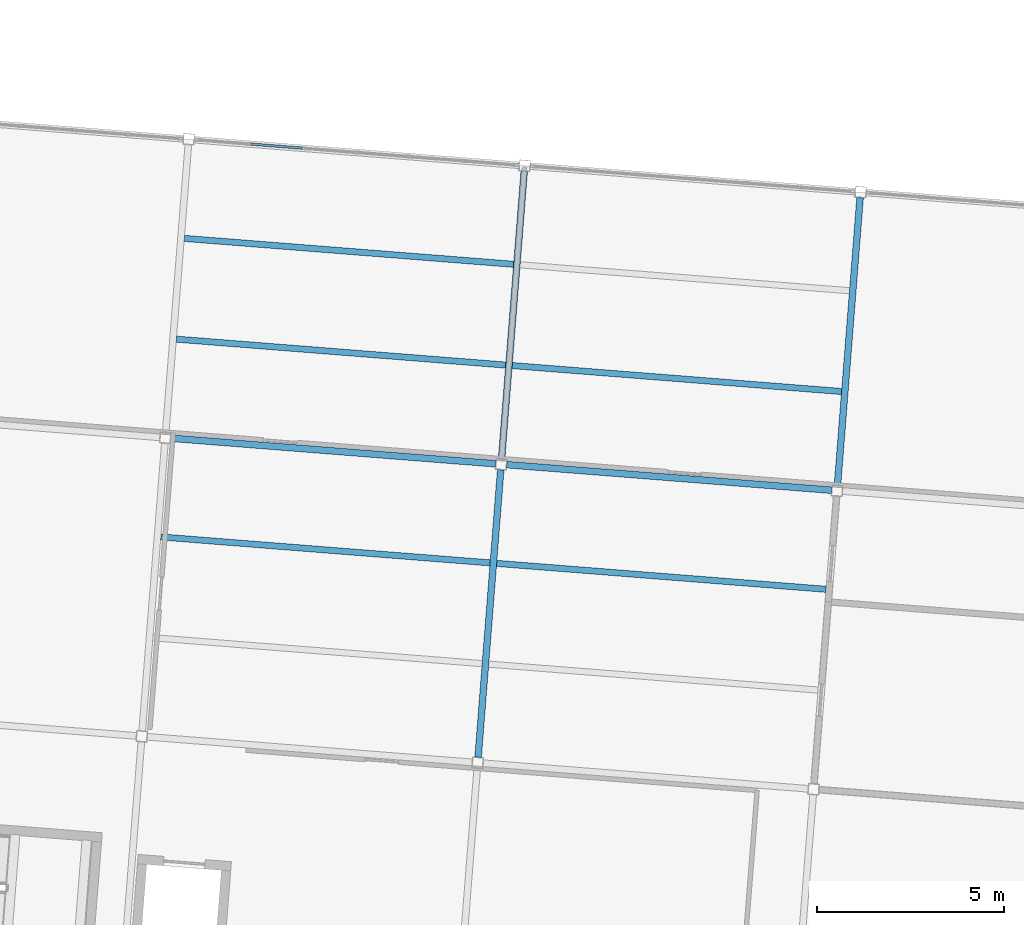
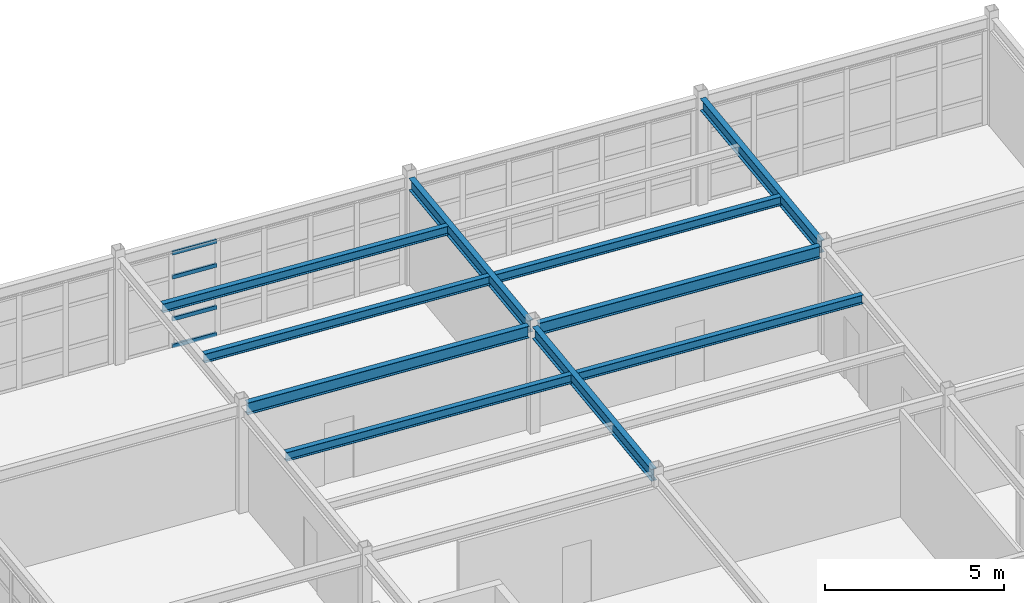
# One storey, part 51 of 150: 10 beams, 4 members, 1 element without a shape of its own.
"""IFC4 building model written with IfcOpenShell, lengths in metres."""

import ifcopenshell
import ifcopenshell.guid

model = None  # the IFC model being written
_history = None  # IfcOwnerHistory: only IFC2X3 demands one
_inside = {}  # id of a spatial element -> (the spatial element, [elements in it])
_under = {}  # id of a project, library or spatial element -> (it, [spatial elements below it])
_declared = {}  # id of a project -> (the project, [libraries it declares])
_typed = {}  # id of a type object -> (the type object, [elements of that type])
_made_of = {}  # id of a material, layer set ... -> (it, [elements and type objects made of it])


def new_model(schema):
    """Start an empty IFC model of exactly this schema.

    Asked for "IFC4X3", IfcOpenShell would pick the latest addendum, in which some entities
    have other attributes; the version numbers below select the first issue.
    IFC2X3 requires an IfcOwnerHistory on every rooted entity: one is made here for all.
    """
    global model, _history
    if schema == "IFC4X3":
        model = ifcopenshell.file(schema_version=(4, 3, 0, 0))
    else:
        model = ifcopenshell.file(schema=schema)
    _inside.clear()
    _under.clear()
    _declared.clear()
    _typed.clear()
    _made_of.clear()
    _history = None
    if model.schema == "IFC2X3":
        org = make("IfcOrganization", Name="unknown")
        user = make(
            "IfcPersonAndOrganization",
            ThePerson=make("IfcPerson", FamilyName="unknown"),
            TheOrganization=org,
        )
        app = make(
            "IfcApplication",
            ApplicationDeveloper=org,
            Version="unknown",
            ApplicationFullName="unknown",
            ApplicationIdentifier="unknown",
        )
        _history = make(
            "IfcOwnerHistory",
            OwningUser=user,
            OwningApplication=app,
            ChangeAction="ADDED",
            CreationDate=0,
        )
    return model


def make(cls, **values):
    """One entity of the class cls with the attributes given. An attribute that is None is left unset."""
    return model.create_entity(
        cls, **{name: value for name, value in values.items() if value is not None}
    )


def rooted(cls, **values):
    """An entity with a GlobalId (a new one), such as an element, a storey or a relation."""
    return make(cls, GlobalId=ifcopenshell.guid.new(), OwnerHistory=_history, **values)


def si_unit(unit_type, name, prefix=None):
    """IfcSIUnit, for example si_unit("LENGTHUNIT", "METRE", prefix="MILLI")."""
    return make("IfcSIUnit", UnitType=unit_type, Prefix=prefix, Name=name)


def assignment(units):
    """IfcUnitAssignment: the units of a project."""
    return None if units is None else make("IfcUnitAssignment", Units=units)


def point(xyz):
    """IfcCartesianPoint."""
    return None if xyz is None else make("IfcCartesianPoint", Coordinates=xyz)


def direction(xyz):
    """IfcDirection."""
    return None if xyz is None else make("IfcDirection", DirectionRatios=xyz)


def frame(location, z_axis=None, x_axis=None):
    """IfcAxis2Placement3D, a coordinate frame: its origin and axes. An axis left out is left unset."""
    return make(
        "IfcAxis2Placement3D",
        Location=point(location),
        Axis=direction(z_axis),
        RefDirection=direction(x_axis),
    )


def frame_2d(location, x_axis=None):
    """IfcAxis2Placement2D, a coordinate frame in the plane: its origin and x axis."""
    return make(
        "IfcAxis2Placement2D", Location=point(location), RefDirection=direction(x_axis)
    )


def origin():
    """The frame at (0, 0, 0) with its axes left unset."""
    return frame((0.0, 0.0, 0.0))


def origin_2d():
    """The frame at (0, 0) in the plane with its x axis left unset."""
    return frame_2d((0.0, 0.0))


def place(relative_to, where):
    """IfcLocalPlacement: puts the frame where relative to a parent placement (None: the world)."""
    return make(
        "IfcLocalPlacement", PlacementRelTo=relative_to, RelativePlacement=where
    )


def context(
    kind, dimensions, precision=None, world=None, true_north=None, identifier=None
):
    """IfcGeometricRepresentationContext, for example the 3D "Model" context."""
    return make(
        "IfcGeometricRepresentationContext",
        ContextIdentifier=identifier,
        ContextType=kind,
        CoordinateSpaceDimension=dimensions,
        Precision=precision,
        WorldCoordinateSystem=world,
        TrueNorth=true_north,
    )


def subcontext(parent, identifier, kind, view, scale=None):
    """IfcGeometricRepresentationSubContext, for example "Body" below "Model"."""
    return make(
        "IfcGeometricRepresentationSubContext",
        ContextIdentifier=identifier,
        ContextType=kind,
        ParentContext=parent,
        TargetScale=scale,
        TargetView=view,
    )


def project(units=None, contexts=None):
    """IfcProject with its units and contexts."""
    return rooted(
        "IfcProject",
        Name="project",
        RepresentationContexts=contexts,
        UnitsInContext=assignment(units),
    )


def spatial(cls, under=None, at=None, **own):
    """A site, building, storey or space (cls), placed at a placement, below another one or the project."""
    s = rooted(cls, ObjectPlacement=at, **own)
    if under is not None:
        _under.setdefault(under.id(), (under, []))[1].append(s)
    return s


def profile(cls, at=None, kind="AREA", **sizes):
    """A parametric profile (cls). Its sizes go by their IFC names, for example OverallWidth=200.0."""
    return make(cls, ProfileType=kind, Position=at, **sizes)


def hollow_rectangle(**sizes):
    """IfcRectangleHollowProfileDef."""
    return profile("IfcRectangleHollowProfileDef", **sizes)


def i_section(**sizes):
    """IfcIShapeProfileDef."""
    return profile("IfcIShapeProfileDef", **sizes)


def extrude(swept, where, along, depth):
    """IfcExtrudedAreaSolid: the profile swept, set in the frame where, extruded along a direction by depth."""
    return make(
        "IfcExtrudedAreaSolid",
        SweptArea=swept,
        Position=where,
        ExtrudedDirection=direction(along),
        Depth=depth,
    )


def shape(context_of_items, identifier, shape_type, items):
    """IfcShapeRepresentation: the items that make up one representation, for example the "Body"."""
    return make(
        "IfcShapeRepresentation",
        ContextOfItems=context_of_items,
        RepresentationIdentifier=identifier,
        RepresentationType=shape_type,
        Items=items,
    )


def material(Name=None, Category=None):
    """IfcMaterial."""
    return make("IfcMaterial", Name=Name, Category=Category)


def material_profile(
    of_material, cross_section, Name=None, Category=None, Priority=None
):
    """IfcMaterialProfile: a cross section and its material."""
    return make(
        "IfcMaterialProfile",
        Name=Name,
        Material=of_material,
        Profile=cross_section,
        Priority=Priority,
        Category=Category,
    )


def profile_set(profiles, Name=None, composite=None):
    """IfcMaterialProfileSet."""
    return make(
        "IfcMaterialProfileSet",
        Name=Name,
        MaterialProfiles=profiles,
        CompositeProfile=composite,
    )


def made_of(thing, what):
    """Note that an element or type object is made of a material, layer set ...; save() writes the relation."""
    if what is not None:
        _made_of.setdefault(what.id(), (what, []))[1].append(thing)
    return thing


def type_object(cls, material=None, **own):
    """A type object (cls), such as IfcWallType, which elements share."""
    return made_of(rooted(cls, **own), material)


def element(
    cls,
    number,
    at=None,
    inside=None,
    cuts=None,
    type_object=None,
    material=None,
    context=None,
    identifier="Body",
    shape_type=None,
    held_by="IfcProductDefinitionShape",
    body=None,
    shapes=None,
    **own,
):
    """One element of the class cls, such as IfcWall. Its Tag is "e" and its number.

    at: its placement. inside: the storey or other place that contains it. cuts: it is an
    opening in that element (IfcRelVoidsElement). A single representation is given by context,
    identifier, shape_type and body (its items); several are given by shapes. held_by: the class
    of the entity that holds the representations. save() writes the other relations.
    """
    e = rooted(cls, Tag="e%d" % number, ObjectPlacement=at, **own)
    if body is not None:
        shapes = [shape(context, identifier, shape_type, body)]
    if shapes is not None:
        e.Representation = make(held_by, Representations=shapes)
    if inside is not None:
        _inside.setdefault(inside.id(), (inside, []))[1].append(e)
    if cuts is not None:
        rooted(
            "IfcRelVoidsElement", RelatingBuildingElement=cuts, RelatedOpeningElement=e
        )
    if type_object is not None:
        _typed.setdefault(type_object.id(), (type_object, []))[1].append(e)
    return made_of(e, material)


def aggregate(whole, parts):
    """IfcRelAggregates: a whole, such as a stair, and the parts it consists of."""
    return rooted("IfcRelAggregates", RelatingObject=whole, RelatedObjects=parts)


def save(model, path):
    """Write the relations noted so far, then the file.

    IfcRelAggregates (storeys below a building ...), IfcRelContainedInSpatialStructure (elements
    in a storey), IfcRelDefinesByType, IfcRelAssociatesMaterial and IfcRelDeclares: one each for
    every whole, place, type object, material and project.
    """
    for whole, parts in _under.values():
        aggregate(whole, parts)
    for where, things in _inside.values():
        rooted(
            "IfcRelContainedInSpatialStructure",
            RelatedElements=things,
            RelatingStructure=where,
        )
    for kind, things in _typed.values():
        rooted("IfcRelDefinesByType", RelatedObjects=things, RelatingType=kind)
    for what, things in _made_of.values():
        rooted("IfcRelAssociatesMaterial", RelatedObjects=things, RelatingMaterial=what)
    for by, libraries in _declared.values():
        rooted("IfcRelDeclares", RelatingContext=by, RelatedDefinitions=libraries)
    model.write(path)


model = new_model("IFC4")

# Units and contexts
model_context = context("Model", 3, precision=1e-05, world=origin(), true_north=direction((0.0, 1.0)))
body_context = subcontext(model_context, "Body", "Model", "MODEL_VIEW")
ifc_project = project(units=[si_unit("LENGTHUNIT", "METRE"), si_unit("AREAUNIT", "SQUARE_METRE"), si_unit("VOLUMEUNIT", "CUBIC_METRE"), si_unit("PLANEANGLEUNIT", "RADIAN"), si_unit("MASSUNIT", "GRAM", prefix="KILO")], contexts=[model_context])

# Site, building, storey
site_placement = place(None, origin())
site = spatial("IfcSite", under=ifc_project, at=site_placement, CompositionType="ELEMENT")
building_placement = place(site_placement, origin())
building = spatial("IfcBuilding", under=site, at=building_placement, Name="Kestramere Prow Commons", CompositionType="ELEMENT")
storey_placement = place(building_placement, frame((0.0, 0.0, 4.5)))
storey = spatial("IfcBuildingStorey", under=building, at=storey_placement, Name="L01", CompositionType="ELEMENT", Elevation=4.5)

# Beams
ifc_material_1 = material(Name="Steel S355JR", Category="steel")
ifc_material_profile_1 = material_profile(ifc_material_1, i_section(OverallWidth=0.177978515625, OverallDepth=0.406494140625, WebThickness=0.0078125, FlangeThickness=0.0126953125, FilletRadius=0.01025390625, at=origin_2d()), Name="UB 406x178x60")
ifc_profile_set_1 = profile_set([ifc_material_profile_1], Name="Steel S355JR")
beam_type_1 = type_object("IfcBeamType", Name="BM-NR-01 UB 406x178x60", PredefinedType="BEAM", material=ifc_profile_set_1)
beam_1_placement = place(storey_placement, frame((78.97705078125, 100.732666015625, 3.44677734375), z_axis=(0.996919433544, -0.078432410537, 0.0), x_axis=(0.078432410537, 0.996919433544, 0.0)))
element("IfcBeam", 1, at=beam_1_placement, inside=storey, type_object=beam_type_1, Name="Nursery L01 Beam U 3-2", PredefinedType="BEAM", context=body_context, shape_type="SweptSolid", body=[
    extrude(i_section(OverallWidth=0.177978515625, OverallDepth=0.406494140625, WebThickness=0.0078125, FlangeThickness=0.0126953125, FilletRadius=0.01025390625, at=origin_2d()), origin(), (0.0, 0.0, 1.0), 8.7001953125),
])
beam_2_placement = place(storey_placement, frame((87.949462890625, 100.026611328125, 3.44677734375), z_axis=(0.996917066238, -0.078462494502, 0.0), x_axis=(0.078462494502, 0.996917066238, 0.0)))
element("IfcBeam", 2, at=beam_2_placement, inside=storey, type_object=beam_type_1, Name="Nursery L01 Beam U 3-3", PredefinedType="BEAM", context=body_context, shape_type="SweptSolid", body=[
    extrude(i_section(OverallWidth=0.177978515625, OverallDepth=0.406494140625, WebThickness=0.0078125, FlangeThickness=0.0126953125, FilletRadius=0.01025390625, at=origin_2d()), origin(), (0.0, 0.0, 1.0), 8.699951171875),
])
for number, where, z_axis, x_axis, name in (
    (3, (87.183837890625, 92.212646484375, 3.44677734375), (0.078473620365, 0.996916190513, 0.0), (-0.996916190513, 0.078473620365, 0.0), "Nursery L01 Beam V 3-2"),
    (4, (87.8115234375, 100.18798828125, 3.44677734375), (0.078473620365, 0.996916190513, 0.0), (-0.996916190513, 0.078473620365, 0.0), "Nursery L01 Beam V 3-3"),
    (5, (96.783935546875, 99.48193359375, 3.44677734375), (0.078442108986, 0.996918670473, 0.0), (-0.996918670473, 0.078442108986, 0.0), "Nursery L01 Beam V 4-3"),
):
    element("IfcBeam", number, at=place(storey_placement, frame(where, z_axis=z_axis, x_axis=x_axis)), inside=storey, type_object=beam_type_1, Name=name, PredefinedType="BEAM", context=body_context, shape_type="SweptSolid", body=[
        extrude(i_section(OverallWidth=0.177978515625, OverallDepth=0.406494140625, WebThickness=0.0078125, FlangeThickness=0.0126953125, FilletRadius=0.01025390625, at=origin_2d()), origin(), (0.0, 0.0, 1.0), 7.699951171875),
    ])

# Curtain wall, members
ifc_material_2 = material(Name="Anodised Aluminium and Low-E Glass", Category="aluminium")
curtain_wall_type = type_object("IfcCurtainWallType", Name="CW-15 Glazed Curtain Wall 8600x3230", PredefinedType="USERDEFINED", material=ifc_material_2)
curtain_wall_placement = place(storey_placement, origin())
curtain_wall = element("IfcCurtainWall", 6, at=curtain_wall_placement, inside=storey, type_object=curtain_wall_type, Name="Nursery L01 North Garden Glazing 2", ObjectType="GLAZED CURTAIN WALL", PredefinedType="USERDEFINED")
ifc_material_3 = material(Name="Anodised Aluminium 6063-T6", Category="aluminium")
ifc_material_profile_2 = material_profile(ifc_material_3, hollow_rectangle(XDim=0.06494140625, YDim=0.1298828125, WallThickness=0.00390625, at=origin_2d()), Name="ALU-TRN 65x130")
ifc_profile_set_2 = profile_set([ifc_material_profile_2], Name="Anodised Aluminium 6063-T6")
member_type = type_object("IfcMemberType", Name="CW-TRN-65x130", PredefinedType="USERDEFINED", material=ifc_profile_set_2)
member_1_placement = place(storey_placement, frame((81.115966796875, 108.589111328125, 0.032470703125), z_axis=(0.996927185479, -0.078333816793, 0.0), x_axis=(0.078333816793, 0.996927185479, 0.0)))
member_1 = element("IfcMember", 7, at=member_1_placement, type_object=member_type, Name="CW-15 transom 2.1", ObjectType="TRANSOM", PredefinedType="USERDEFINED", context=body_context, shape_type="SweptSolid", body=[
    extrude(hollow_rectangle(XDim=0.06494140625, YDim=0.1298828125, WallThickness=0.00390625, at=origin_2d()), origin(), (0.0, 0.0, 1.0), 1.3681640625),
])
member_2_placement = place(storey_placement, frame((81.115966796875, 108.589111328125, 0.949951171875), z_axis=(0.996927185479, -0.078333816793, 0.0), x_axis=(0.078333816793, 0.996927185479, 0.0)))
member_2 = element("IfcMember", 8, at=member_2_placement, type_object=member_type, Name="CW-15 transom 2.2", ObjectType="TRANSOM", PredefinedType="USERDEFINED", context=body_context, shape_type="SweptSolid", body=[
    extrude(hollow_rectangle(XDim=0.06494140625, YDim=0.1298828125, WallThickness=0.00390625, at=origin_2d()), origin(), (0.0, 0.0, 1.0), 1.3681640625),
])
member_3_placement = place(storey_placement, frame((81.115966796875, 108.589111328125, 2.3798828125), z_axis=(0.996927185479, -0.078333816793, 0.0), x_axis=(0.078333816793, 0.996927185479, 0.0)))
member_3 = element("IfcMember", 9, at=member_3_placement, type_object=member_type, Name="CW-15 transom 2.3", ObjectType="TRANSOM", PredefinedType="USERDEFINED", context=body_context, shape_type="SweptSolid", body=[
    extrude(hollow_rectangle(XDim=0.06494140625, YDim=0.1298828125, WallThickness=0.00390625, at=origin_2d()), origin(), (0.0, 0.0, 1.0), 1.3681640625),
])
member_4_placement = place(storey_placement, frame((81.115966796875, 108.589111328125, 3.197509765625), z_axis=(0.996927185479, -0.078333816793, 0.0), x_axis=(0.078333816793, 0.996927185479, 0.0)))
member_4 = element("IfcMember", 10, at=member_4_placement, type_object=member_type, Name="CW-15 transom 2.4", ObjectType="TRANSOM", PredefinedType="USERDEFINED", context=body_context, shape_type="SweptSolid", body=[
    extrude(hollow_rectangle(XDim=0.06494140625, YDim=0.1298828125, WallThickness=0.00390625, at=origin_2d()), origin(), (0.0, 0.0, 1.0), 1.3681640625),
])
aggregate(curtain_wall, [member_1, member_2, member_3, member_4])

# Beams
ifc_material_profile_3 = material_profile(ifc_material_1, i_section(OverallWidth=0.1650390625, OverallDepth=0.303466796875, WebThickness=0.006103515625, FlangeThickness=0.01025390625, FilletRadius=0.0087890625, at=origin_2d()), Name="UB 305x165x40")
ifc_profile_set_3 = profile_set([ifc_material_profile_3], Name="Steel S355JR")
beam_type_2 = type_object("IfcBeamType", Name="JST-NR-01 UB 305x165x40", PredefinedType="JOIST", material=ifc_profile_set_3)
for number, where, z_axis, x_axis, name in (
    (11, (78.708251953125, 98.095703125, 3.498291015625), (0.996917659029, -0.07845496234, 0.0), (0.07845496234, 0.996917659029, 0.0), "Nursery L01 Secondary Joist 2-2"),
    (12, (79.124267578125, 103.37939453125, 3.498291015625), (0.996917659029, -0.07845496234, 0.0), (0.07845496234, 0.996917659029, 0.0), "Nursery L01 Secondary Joist 2-3"),
    (13, (79.3359375, 106.071044921875, 3.498291015625), (0.996917659029, -0.07845496234, 0.0), (0.07845496234, 0.996917659029, 0.0), "Nursery L01 Secondary Joist 2-3"),
    (14, (87.6806640625, 97.3896484375, 3.498291015625), (0.996917659029, -0.07845496234, 0.0), (0.07845496234, 0.996917659029, 0.0), "Nursery L01 Secondary Joist 3-2"),
    (15, (88.096435546875, 102.67333984375, 3.498291015625), (0.996917659029, -0.07845496234, 0.0), (0.07845496234, 0.996917659029, 0.0), "Nursery L01 Secondary Joist 3-3"),
):
    element("IfcBeam", number, at=place(storey_placement, frame(where, z_axis=z_axis, x_axis=x_axis)), inside=storey, type_object=beam_type_2, Name=name, PredefinedType="JOIST", context=body_context, shape_type="SweptSolid", body=[
        extrude(i_section(OverallWidth=0.1650390625, OverallDepth=0.303466796875, WebThickness=0.006103515625, FlangeThickness=0.01025390625, FilletRadius=0.0087890625, at=origin_2d()), origin(), (0.0, 0.0, 1.0), 8.822021484375),
    ])

save(model, "model.ifc")
